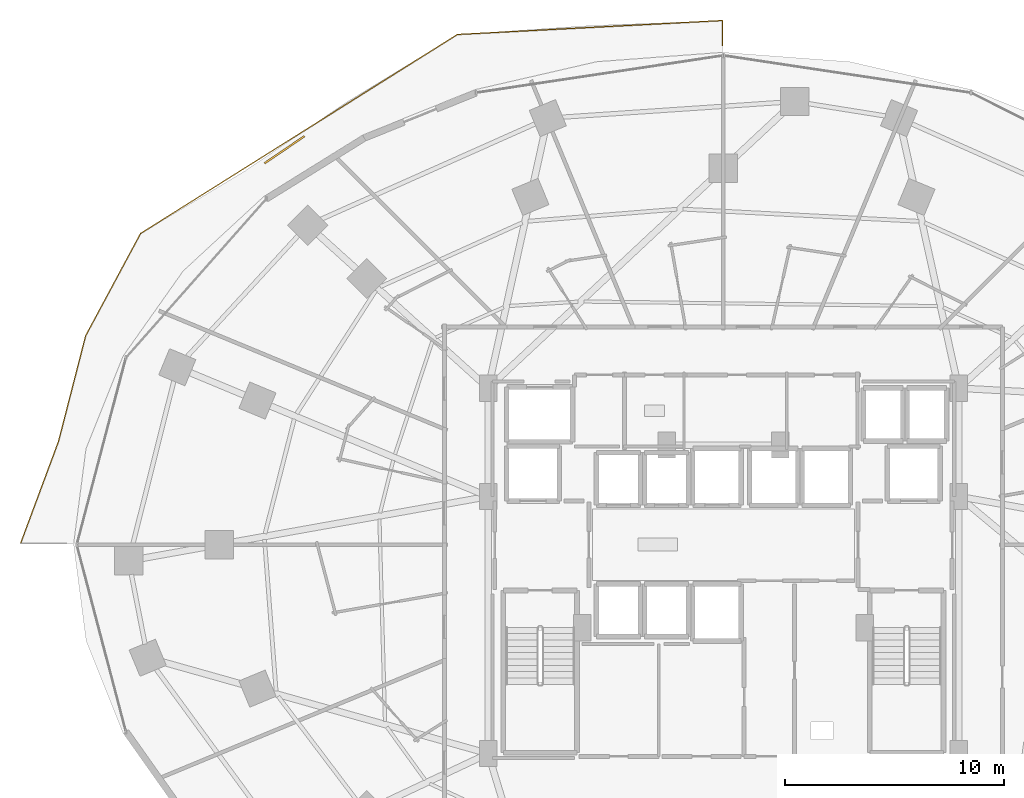
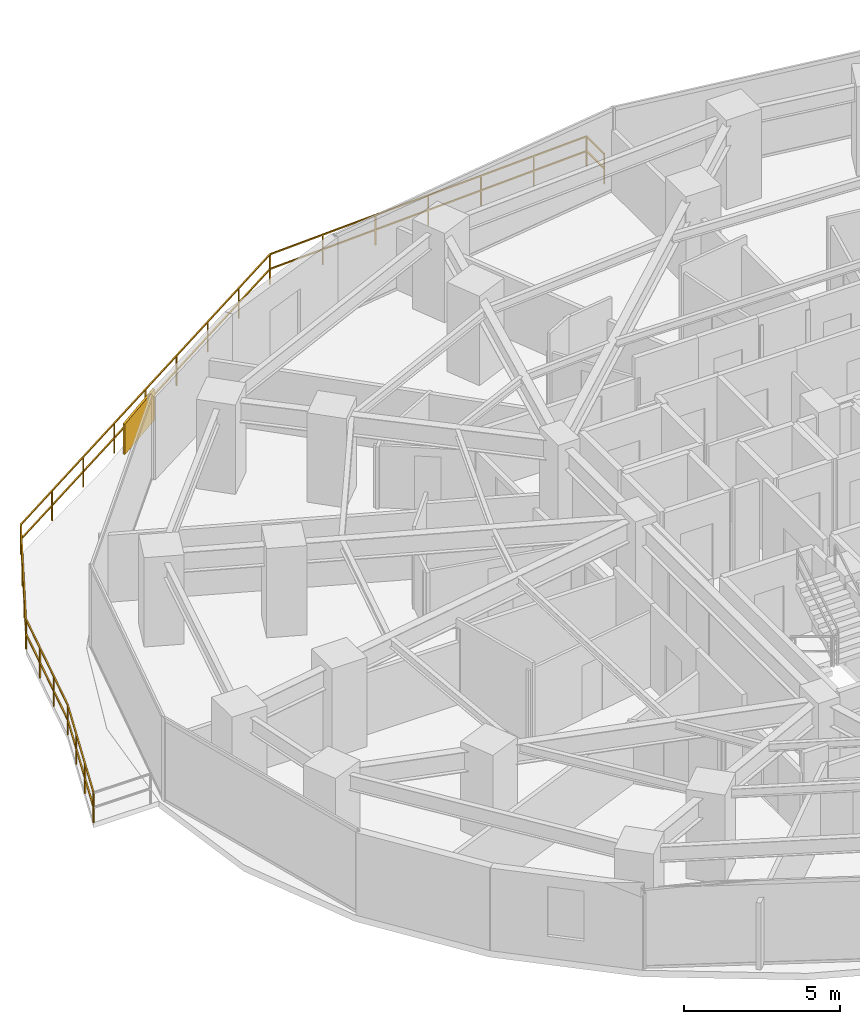
# One storey, part 33 of 34: 1 railing, 1 shading device.
"""IFC4 building model written with IfcOpenShell, lengths in metres."""

from ifc_helpers import new_model, si_unit, direction, frame, origin, origin_2d, place, context, subcontext, project, spatial, rectangle, extrude, material, type_object, element, save


model = new_model("IFC4")

# Units and contexts
model_context = context("Model", 3, precision=1e-05, world=origin(), true_north=direction((0.0, 1.0)))
body_context = subcontext(model_context, "Body", "Model", "MODEL_VIEW")
ifc_project = project(units=[si_unit("LENGTHUNIT", "METRE"), si_unit("AREAUNIT", "SQUARE_METRE"), si_unit("VOLUMEUNIT", "CUBIC_METRE"), si_unit("PLANEANGLEUNIT", "RADIAN"), si_unit("MASSUNIT", "GRAM", prefix="KILO")], contexts=[model_context])

# Site, building, storey
site_placement = place(None, origin())
site = spatial("IfcSite", under=ifc_project, at=site_placement, CompositionType="ELEMENT")
building_placement = place(site_placement, origin())
building = spatial("IfcBuilding", under=site, at=building_placement, Name="Vorneva Point Tower", CompositionType="ELEMENT")
storey_placement = place(building_placement, frame((0.0, 0.0, 31.0)))
storey = spatial("IfcBuildingStorey", under=building, at=storey_placement, Name="L07", CompositionType="ELEMENT", Elevation=31.0)

# Railing
ifc_material = material(Name="Pale anodised aluminium", Category="aluminium")
railing_type = type_object("IfcRailingType", Name="RL-BAL-1200", PredefinedType="BALUSTRADE", material=ifc_material)
railing_placement = place(storey_placement, frame((37.949951171875, 48.817138671875, 0.0)))
element("IfcRailing", 1, at=railing_placement, inside=storey, type_object=railing_type, Name="L07 Wave Balcony Balustrade NW.2", PredefinedType="BALUSTRADE", context=body_context, shape_type="SweptSolid", body=[
    extrude(rectangle(XDim=0.048095703125, YDim=0.048095703125, at=origin_2d()), frame((0.0, 0.0, 1.17578125), z_axis=(0.0, 1.0, 0.0), x_axis=(-1.0, 0.0, 0.0)), (0.0, 0.0, 1.0), 1.135986328125),
    extrude(rectangle(XDim=0.048095703125, YDim=0.048095703125, at=origin_2d()), frame((0.0, 0.0, 0.60009765625), z_axis=(0.0, 1.0, 0.0), x_axis=(-1.0, 0.0, 0.0)), (0.0, 0.0, 1.0), 1.135986328125),
    extrude(rectangle(XDim=0.048095703125, YDim=0.048095703125, at=origin_2d()), frame((0.0, 1.135986328125, 1.17578125), z_axis=(-0.998617273094, -0.052569400594, 0.0), x_axis=(0.052569400594, -0.998617273094, 0.0)), (0.0, 0.0, 1.0), 12.1259765625),
    extrude(rectangle(XDim=0.048095703125, YDim=0.048095703125, at=origin_2d()), frame((0.0, 1.135986328125, 0.60009765625), z_axis=(-0.998617273094, -0.052569400594, 0.0), x_axis=(0.052569400594, -0.998617273094, 0.0)), (0.0, 0.0, 1.0), 12.1259765625),
    extrude(rectangle(XDim=0.048095703125, YDim=0.048095703125, at=origin_2d()), frame((-12.109130859375, 0.49853515625, 1.17578125), z_axis=(-0.846791603268, -0.531924788513, 0.0), x_axis=(0.531924788513, -0.846791603268, 0.0)), (0.0, 0.0, 1.0), 17.103271484375),
    extrude(rectangle(XDim=0.048095703125, YDim=0.048095703125, at=origin_2d()), frame((-12.109130859375, 0.49853515625, 0.60009765625), z_axis=(-0.846791603268, -0.531924788513, 0.0), x_axis=(0.531924788513, -0.846791603268, 0.0)), (0.0, 0.0, 1.0), 17.103271484375),
    extrude(rectangle(XDim=0.048095703125, YDim=0.048095703125, at=origin_2d()), frame((-26.592041015625, -8.59912109375, 1.17578125), z_axis=(-0.472973767155, -0.881076509495, 0.0), x_axis=(0.881076509495, -0.472973767155, 0.0)), (0.0, 0.0, 1.0), 5.302734375),
    extrude(rectangle(XDim=0.048095703125, YDim=0.048095703125, at=origin_2d()), frame((-26.592041015625, -8.59912109375, 0.60009765625), z_axis=(-0.472973767155, -0.881076509495, 0.0), x_axis=(0.881076509495, -0.472973767155, 0.0)), (0.0, 0.0, 1.0), 5.302734375),
    extrude(rectangle(XDim=0.048095703125, YDim=0.048095703125, at=origin_2d()), frame((-29.10009765625, -13.271240234375, 1.17578125), z_axis=(-0.248837480299, -0.968545253666, 0.0), x_axis=(0.968545253666, -0.248837480299, 0.0)), (0.0, 0.0, 1.0), 4.982177734375),
    extrude(rectangle(XDim=0.048095703125, YDim=0.048095703125, at=origin_2d()), frame((-29.10009765625, -13.271240234375, 0.60009765625), z_axis=(-0.248837480299, -0.968545253666, 0.0), x_axis=(0.968545253666, -0.248837480299, 0.0)), (0.0, 0.0, 1.0), 4.982177734375),
    extrude(rectangle(XDim=0.048095703125, YDim=0.048095703125, at=origin_2d()), frame((-30.33984375, -18.0966796875, 1.17578125), z_axis=(-0.348512507877, -0.93730412986, 0.0), x_axis=(0.93730412986, -0.348512507877, 0.0)), (0.0, 0.0, 1.0), 4.98291015625),
    extrude(rectangle(XDim=0.048095703125, YDim=0.048095703125, at=origin_2d()), frame((-30.33984375, -18.0966796875, 0.60009765625), z_axis=(-0.348512507877, -0.93730412986, 0.0), x_axis=(0.93730412986, -0.348512507877, 0.0)), (0.0, 0.0, 1.0), 4.98291015625),
    extrude(rectangle(XDim=0.0419921875, YDim=0.0419921875, at=origin_2d()), origin(), (0.0, 0.0, 1.0), 1.15185546875),
    extrude(rectangle(XDim=0.0419921875, YDim=0.0419921875, at=origin_2d()), frame((0.0, 1.135986328125, 0.0)), (0.0, 0.0, 1.0), 1.15185546875),
    extrude(rectangle(XDim=0.0419921875, YDim=0.0419921875, at=origin_2d()), frame((-2.01806640625, 1.02978515625, 0.0)), (0.0, 0.0, 1.0), 1.15185546875),
    extrude(rectangle(XDim=0.0419921875, YDim=0.0419921875, at=origin_2d()), frame((-4.036376953125, 0.923583984375, 0.0)), (0.0, 0.0, 1.0), 1.15185546875),
    extrude(rectangle(XDim=0.0419921875, YDim=0.0419921875, at=origin_2d()), frame((-6.0546875, 0.8173828125, 0.0)), (0.0, 0.0, 1.0), 1.15185546875),
    extrude(rectangle(XDim=0.0419921875, YDim=0.0419921875, at=origin_2d()), frame((-8.07275390625, 0.7109375, 0.0)), (0.0, 0.0, 1.0), 1.15185546875),
    extrude(rectangle(XDim=0.0419921875, YDim=0.0419921875, at=origin_2d()), frame((-10.0908203125, 0.604736328125, 0.0)), (0.0, 0.0, 1.0), 1.15185546875),
    extrude(rectangle(XDim=0.0419921875, YDim=0.0419921875, at=origin_2d()), frame((-12.109130859375, 0.49853515625, 0.0)), (0.0, 0.0, 1.0), 1.15185546875),
    extrude(rectangle(XDim=0.0419921875, YDim=0.0419921875, at=origin_2d()), frame((-13.91943359375, -0.638671875, 0.0)), (0.0, 0.0, 1.0), 1.15185546875),
    extrude(rectangle(XDim=0.0419921875, YDim=0.0419921875, at=origin_2d()), frame((-15.72998046875, -1.77587890625, 0.0)), (0.0, 0.0, 1.0), 1.15185546875),
    extrude(rectangle(XDim=0.0419921875, YDim=0.0419921875, at=origin_2d()), frame((-17.540283203125, -2.9130859375, 0.0)), (0.0, 0.0, 1.0), 1.15185546875),
    extrude(rectangle(XDim=0.0419921875, YDim=0.0419921875, at=origin_2d()), frame((-19.3505859375, -4.05029296875, 0.0)), (0.0, 0.0, 1.0), 1.15185546875),
    extrude(rectangle(XDim=0.0419921875, YDim=0.0419921875, at=origin_2d()), frame((-21.160888671875, -5.1875, 0.0)), (0.0, 0.0, 1.0), 1.15185546875),
    extrude(rectangle(XDim=0.0419921875, YDim=0.0419921875, at=origin_2d()), frame((-22.97119140625, -6.32470703125, 0.0)), (0.0, 0.0, 1.0), 1.15185546875),
    extrude(rectangle(XDim=0.0419921875, YDim=0.0419921875, at=origin_2d()), frame((-24.78173828125, -7.4619140625, 0.0)), (0.0, 0.0, 1.0), 1.15185546875),
    extrude(rectangle(XDim=0.0419921875, YDim=0.0419921875, at=origin_2d()), frame((-26.592041015625, -8.59912109375, 0.0)), (0.0, 0.0, 1.0), 1.15185546875),
    extrude(rectangle(XDim=0.0419921875, YDim=0.0419921875, at=origin_2d()), frame((-27.427978515625, -10.156494140625, 0.0)), (0.0, 0.0, 1.0), 1.15185546875),
    extrude(rectangle(XDim=0.0419921875, YDim=0.0419921875, at=origin_2d()), frame((-28.26416015625, -11.7138671875, 0.0)), (0.0, 0.0, 1.0), 1.15185546875),
    extrude(rectangle(XDim=0.0419921875, YDim=0.0419921875, at=origin_2d()), frame((-29.10009765625, -13.271240234375, 0.0)), (0.0, 0.0, 1.0), 1.15185546875),
    extrude(rectangle(XDim=0.0419921875, YDim=0.0419921875, at=origin_2d()), frame((-29.513427734375, -14.879638671875, 0.0)), (0.0, 0.0, 1.0), 1.15185546875),
    extrude(rectangle(XDim=0.0419921875, YDim=0.0419921875, at=origin_2d()), frame((-29.926513671875, -16.48828125, 0.0)), (0.0, 0.0, 1.0), 1.15185546875),
    extrude(rectangle(XDim=0.0419921875, YDim=0.0419921875, at=origin_2d()), frame((-30.33984375, -18.0966796875, 0.0)), (0.0, 0.0, 1.0), 1.15185546875),
    extrude(rectangle(XDim=0.0419921875, YDim=0.0419921875, at=origin_2d()), frame((-30.918701171875, -19.653564453125, 0.0)), (0.0, 0.0, 1.0), 1.15185546875),
    extrude(rectangle(XDim=0.0419921875, YDim=0.0419921875, at=origin_2d()), frame((-31.49755859375, -21.210205078125, 0.0)), (0.0, 0.0, 1.0), 1.15185546875),
    extrude(rectangle(XDim=0.0419921875, YDim=0.0419921875, at=origin_2d()), frame((-32.076416015625, -22.76708984375, 0.0)), (0.0, 0.0, 1.0), 1.15185546875),
])

# Shading device
shading_device_type = type_object("IfcShadingDeviceType", Name="SHD-JAL-1200", PredefinedType="JALOUSIE", material=ifc_material)
shading_device_placement = place(storey_placement, frame((17.939208984375, 44.04736328125, -0.02001953125), z_axis=(0.0, 0.0, 1.0), x_axis=(-0.827100194182, -0.562054506951, 0.0)))
element("IfcShadingDevice", 2, at=shading_device_placement, inside=storey, type_object=shading_device_type, Name="L07 Balcony Vertical-Greenery Planter Screen NW.2", PredefinedType="JALOUSIE", context=body_context, shape_type="SweptSolid", body=[
    extrude(rectangle(XDim=2.199951171875, YDim=0.080078125, at=origin_2d()), origin(), (0.0, 0.0, 1.0), 1.199951171875),
])

save(model, "model.ifc")
